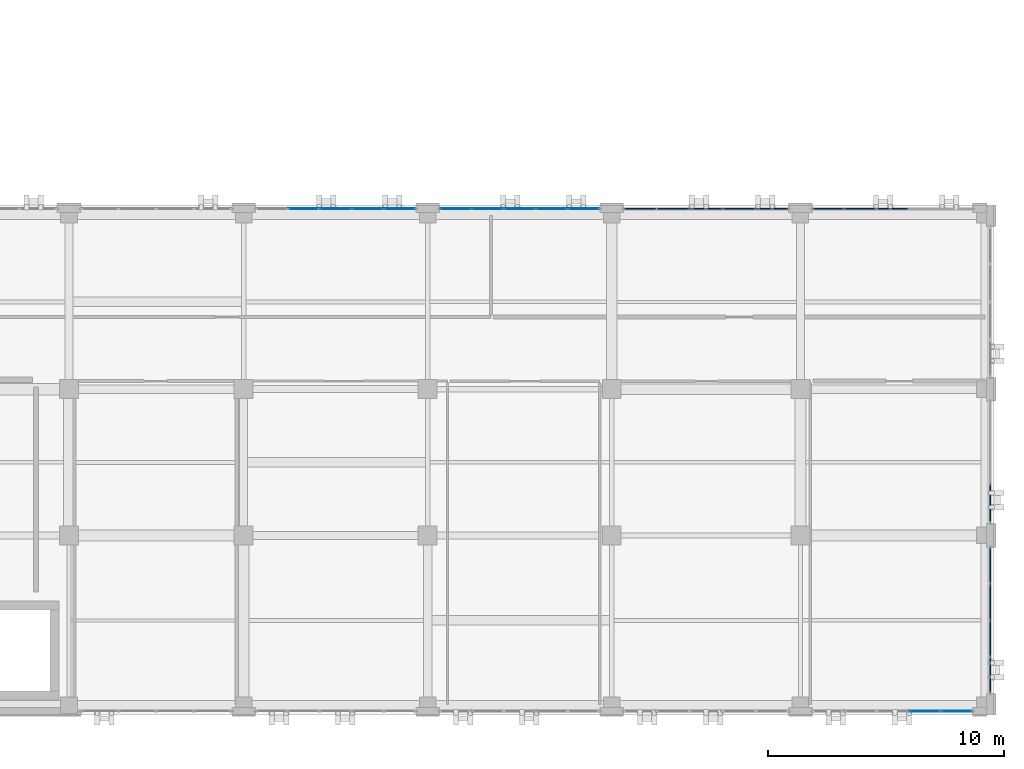
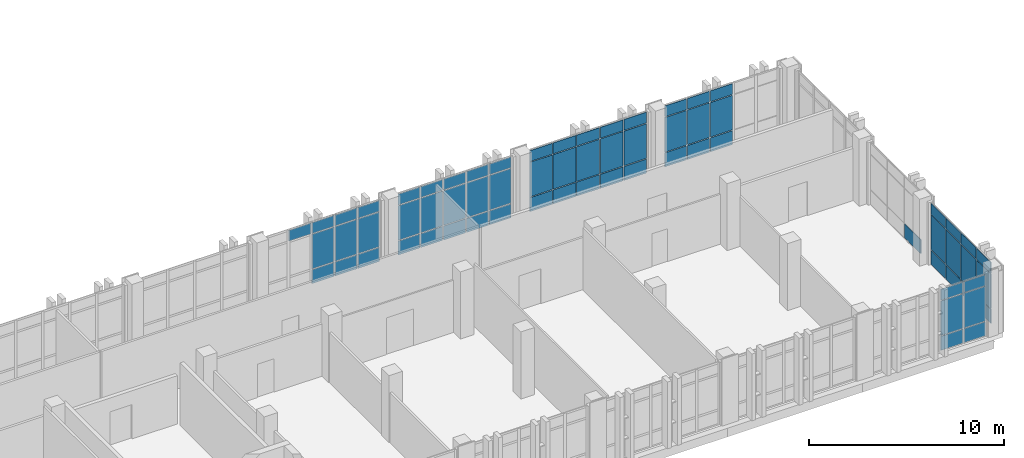
# One storey, part 151 of 193: 68 plates, 7 elements without a shape of their own.
"""IFC4 building model written with IfcOpenShell, lengths in metres."""

import ifcopenshell
import ifcopenshell.guid

model = None  # the IFC model being written
_history = None  # IfcOwnerHistory: only IFC2X3 demands one
_inside = {}  # id of a spatial element -> (the spatial element, [elements in it])
_under = {}  # id of a project, library or spatial element -> (it, [spatial elements below it])
_declared = {}  # id of a project -> (the project, [libraries it declares])
_typed = {}  # id of a type object -> (the type object, [elements of that type])
_made_of = {}  # id of a material, layer set ... -> (it, [elements and type objects made of it])


def new_model(schema):
    """Start an empty IFC model of exactly this schema.

    Asked for "IFC4X3", IfcOpenShell would pick the latest addendum, in which some entities
    have other attributes; the version numbers below select the first issue.
    IFC2X3 requires an IfcOwnerHistory on every rooted entity: one is made here for all.
    """
    global model, _history
    if schema == "IFC4X3":
        model = ifcopenshell.file(schema_version=(4, 3, 0, 0))
    else:
        model = ifcopenshell.file(schema=schema)
    _inside.clear()
    _under.clear()
    _declared.clear()
    _typed.clear()
    _made_of.clear()
    _history = None
    if model.schema == "IFC2X3":
        org = make("IfcOrganization", Name="unknown")
        user = make(
            "IfcPersonAndOrganization",
            ThePerson=make("IfcPerson", FamilyName="unknown"),
            TheOrganization=org,
        )
        app = make(
            "IfcApplication",
            ApplicationDeveloper=org,
            Version="unknown",
            ApplicationFullName="unknown",
            ApplicationIdentifier="unknown",
        )
        _history = make(
            "IfcOwnerHistory",
            OwningUser=user,
            OwningApplication=app,
            ChangeAction="ADDED",
            CreationDate=0,
        )
    return model


def make(cls, **values):
    """One entity of the class cls with the attributes given. An attribute that is None is left unset."""
    return model.create_entity(
        cls, **{name: value for name, value in values.items() if value is not None}
    )


def rooted(cls, **values):
    """An entity with a GlobalId (a new one), such as an element, a storey or a relation."""
    return make(cls, GlobalId=ifcopenshell.guid.new(), OwnerHistory=_history, **values)


def si_unit(unit_type, name, prefix=None):
    """IfcSIUnit, for example si_unit("LENGTHUNIT", "METRE", prefix="MILLI")."""
    return make("IfcSIUnit", UnitType=unit_type, Prefix=prefix, Name=name)


def assignment(units):
    """IfcUnitAssignment: the units of a project."""
    return None if units is None else make("IfcUnitAssignment", Units=units)


def point(xyz):
    """IfcCartesianPoint."""
    return None if xyz is None else make("IfcCartesianPoint", Coordinates=xyz)


def direction(xyz):
    """IfcDirection."""
    return None if xyz is None else make("IfcDirection", DirectionRatios=xyz)


def frame(location, z_axis=None, x_axis=None):
    """IfcAxis2Placement3D, a coordinate frame: its origin and axes. An axis left out is left unset."""
    return make(
        "IfcAxis2Placement3D",
        Location=point(location),
        Axis=direction(z_axis),
        RefDirection=direction(x_axis),
    )


def frame_2d(location, x_axis=None):
    """IfcAxis2Placement2D, a coordinate frame in the plane: its origin and x axis."""
    return make(
        "IfcAxis2Placement2D", Location=point(location), RefDirection=direction(x_axis)
    )


def origin():
    """The frame at (0, 0, 0) with its axes left unset."""
    return frame((0.0, 0.0, 0.0))


def origin_2d():
    """The frame at (0, 0) in the plane with its x axis left unset."""
    return frame_2d((0.0, 0.0))


def place(relative_to, where):
    """IfcLocalPlacement: puts the frame where relative to a parent placement (None: the world)."""
    return make(
        "IfcLocalPlacement", PlacementRelTo=relative_to, RelativePlacement=where
    )


def context(
    kind, dimensions, precision=None, world=None, true_north=None, identifier=None
):
    """IfcGeometricRepresentationContext, for example the 3D "Model" context."""
    return make(
        "IfcGeometricRepresentationContext",
        ContextIdentifier=identifier,
        ContextType=kind,
        CoordinateSpaceDimension=dimensions,
        Precision=precision,
        WorldCoordinateSystem=world,
        TrueNorth=true_north,
    )


def subcontext(parent, identifier, kind, view, scale=None):
    """IfcGeometricRepresentationSubContext, for example "Body" below "Model"."""
    return make(
        "IfcGeometricRepresentationSubContext",
        ContextIdentifier=identifier,
        ContextType=kind,
        ParentContext=parent,
        TargetScale=scale,
        TargetView=view,
    )


def project(units=None, contexts=None):
    """IfcProject with its units and contexts."""
    return rooted(
        "IfcProject",
        Name="project",
        RepresentationContexts=contexts,
        UnitsInContext=assignment(units),
    )


def spatial(cls, under=None, at=None, **own):
    """A site, building, storey or space (cls), placed at a placement, below another one or the project."""
    s = rooted(cls, ObjectPlacement=at, **own)
    if under is not None:
        _under.setdefault(under.id(), (under, []))[1].append(s)
    return s


def profile(cls, at=None, kind="AREA", **sizes):
    """A parametric profile (cls). Its sizes go by their IFC names, for example OverallWidth=200.0."""
    return make(cls, ProfileType=kind, Position=at, **sizes)


def rectangle(**sizes):
    """IfcRectangleProfileDef."""
    return profile("IfcRectangleProfileDef", **sizes)


def extrude(swept, where, along, depth):
    """IfcExtrudedAreaSolid: the profile swept, set in the frame where, extruded along a direction by depth."""
    return make(
        "IfcExtrudedAreaSolid",
        SweptArea=swept,
        Position=where,
        ExtrudedDirection=direction(along),
        Depth=depth,
    )


def shape(context_of_items, identifier, shape_type, items):
    """IfcShapeRepresentation: the items that make up one representation, for example the "Body"."""
    return make(
        "IfcShapeRepresentation",
        ContextOfItems=context_of_items,
        RepresentationIdentifier=identifier,
        RepresentationType=shape_type,
        Items=items,
    )


def material(Name=None, Category=None):
    """IfcMaterial."""
    return make("IfcMaterial", Name=Name, Category=Category)


def layer(
    of_material, thickness, ventilated=None, Name=None, Category=None, Priority=None
):
    """IfcMaterialLayer: one layer of a wall or slab, of a material (None: an air gap)."""
    return make(
        "IfcMaterialLayer",
        Material=of_material,
        LayerThickness=thickness,
        IsVentilated=ventilated,
        Name=Name,
        Category=Category,
        Priority=Priority,
    )


def layer_set(layers, Name=None):
    """IfcMaterialLayerSet."""
    return make("IfcMaterialLayerSet", MaterialLayers=layers, LayerSetName=Name)


def made_of(thing, what):
    """Note that an element or type object is made of a material, layer set ...; save() writes the relation."""
    if what is not None:
        _made_of.setdefault(what.id(), (what, []))[1].append(thing)
    return thing


def type_object(cls, material=None, **own):
    """A type object (cls), such as IfcWallType, which elements share."""
    return made_of(rooted(cls, **own), material)


def element(
    cls,
    number,
    at=None,
    inside=None,
    cuts=None,
    type_object=None,
    material=None,
    context=None,
    identifier="Body",
    shape_type=None,
    held_by="IfcProductDefinitionShape",
    body=None,
    shapes=None,
    **own,
):
    """One element of the class cls, such as IfcWall. Its Tag is "e" and its number.

    at: its placement. inside: the storey or other place that contains it. cuts: it is an
    opening in that element (IfcRelVoidsElement). A single representation is given by context,
    identifier, shape_type and body (its items); several are given by shapes. held_by: the class
    of the entity that holds the representations. save() writes the other relations.
    """
    e = rooted(cls, Tag="e%d" % number, ObjectPlacement=at, **own)
    if body is not None:
        shapes = [shape(context, identifier, shape_type, body)]
    if shapes is not None:
        e.Representation = make(held_by, Representations=shapes)
    if inside is not None:
        _inside.setdefault(inside.id(), (inside, []))[1].append(e)
    if cuts is not None:
        rooted(
            "IfcRelVoidsElement", RelatingBuildingElement=cuts, RelatedOpeningElement=e
        )
    if type_object is not None:
        _typed.setdefault(type_object.id(), (type_object, []))[1].append(e)
    return made_of(e, material)


def aggregate(whole, parts):
    """IfcRelAggregates: a whole, such as a stair, and the parts it consists of."""
    return rooted("IfcRelAggregates", RelatingObject=whole, RelatedObjects=parts)


def save(model, path):
    """Write the relations noted so far, then the file.

    IfcRelAggregates (storeys below a building ...), IfcRelContainedInSpatialStructure (elements
    in a storey), IfcRelDefinesByType, IfcRelAssociatesMaterial and IfcRelDeclares: one each for
    every whole, place, type object, material and project.
    """
    for whole, parts in _under.values():
        aggregate(whole, parts)
    for where, things in _inside.values():
        rooted(
            "IfcRelContainedInSpatialStructure",
            RelatedElements=things,
            RelatingStructure=where,
        )
    for kind, things in _typed.values():
        rooted("IfcRelDefinesByType", RelatedObjects=things, RelatingType=kind)
    for what, things in _made_of.values():
        rooted("IfcRelAssociatesMaterial", RelatedObjects=things, RelatingMaterial=what)
    for by, libraries in _declared.values():
        rooted("IfcRelDeclares", RelatingContext=by, RelatedDefinitions=libraries)
    model.write(path)


model = new_model("IFC4")

# Units and contexts
model_context = context("Model", 3, precision=1e-05, world=origin(), true_north=direction((0.0, 1.0)))
body_context = subcontext(model_context, "Body", "Model", "MODEL_VIEW")
ifc_project = project(units=[si_unit("LENGTHUNIT", "METRE"), si_unit("AREAUNIT", "SQUARE_METRE"), si_unit("VOLUMEUNIT", "CUBIC_METRE"), si_unit("PLANEANGLEUNIT", "RADIAN"), si_unit("MASSUNIT", "GRAM", prefix="KILO")], contexts=[model_context])

# Site, building, storey
site_placement = place(None, origin())
site = spatial("IfcSite", under=ifc_project, at=site_placement, CompositionType="ELEMENT")
building_placement = place(site_placement, origin())
building = spatial("IfcBuilding", under=site, at=building_placement, Name="Qalavern Law Courts", CompositionType="ELEMENT")
storey_placement = place(building_placement, frame((0.0, 0.0, 10.199951171875)))
storey = spatial("IfcBuildingStorey", under=building, at=storey_placement, Name="L02", CompositionType="ELEMENT", Elevation=10.199951171875)

# Curtain wall, plates
ifc_material_1 = material(Name="Anodised aluminium and insulated glazing", Category="aluminium")
ifc_layer_1 = layer(ifc_material_1, 0.172119140625)
ifc_layer_set_1 = layer_set([ifc_layer_1], Name="Anodised aluminium and insulated glazing")
curtain_wall_type = type_object("IfcCurtainWallType", Name="ENV-CW-COURT", PredefinedType="USERDEFINED", material=ifc_layer_set_1)
curtain_wall_1_placement = place(storey_placement, origin())
curtain_wall_1 = element("IfcCurtainWall", 1, at=curtain_wall_1_placement, inside=storey, type_object=curtain_wall_type, Name="V6 unitised curtain wall L02 north 3", ObjectType="UNITISED CURTAIN WALL", PredefinedType="USERDEFINED")
ifc_material_2 = material(Name="Insulated low-E acoustic glazing", Category="glass")
ifc_layer_2 = layer(ifc_material_2, 0.02392578125)
ifc_layer_set_2 = layer_set([ifc_layer_2], Name="Insulated low-E acoustic glazing")
plate_type_1 = type_object("IfcPlateType", Name="ENV-CWP-24", PredefinedType="CURTAIN_PANEL", material=ifc_layer_set_2)
plate_1_placement = place(storey_placement, frame((148.60791015625, 22.445068359375, 0.048095703125), z_axis=(0.0, 0.0, 1.0), x_axis=(-1.0, 0.0, 0.0)))
plate_1 = element("IfcPlate", 2, at=plate_1_placement, type_object=plate_type_1, Name="CW-03 panel 1.1", PredefinedType="CURTAIN_PANEL", context=body_context, shape_type="SweptSolid", body=[
    extrude(rectangle(XDim=1.2880859375, YDim=0.02392578125, at=origin_2d()), origin(), (0.0, 0.0, 1.0), 0.8779296875),
])
plate_2_placement = place(storey_placement, frame((148.60791015625, 22.445068359375, 0.97412109375), z_axis=(0.0, 0.0, 1.0), x_axis=(-1.0, 0.0, 0.0)))
plate_2 = element("IfcPlate", 3, at=plate_2_placement, type_object=plate_type_1, Name="CW-03 panel 1.2", PredefinedType="CURTAIN_PANEL", context=body_context, shape_type="SweptSolid", body=[
    extrude(rectangle(XDim=1.2880859375, YDim=0.02392578125, at=origin_2d()), origin(), (0.0, 0.0, 1.0), 2.1669921875),
])
plate_3_placement = place(storey_placement, frame((148.60791015625, 22.445068359375, 3.18896484375), z_axis=(0.0, 0.0, 1.0), x_axis=(-1.0, 0.0, 0.0)))
plate_3 = element("IfcPlate", 4, at=plate_3_placement, type_object=plate_type_1, Name="CW-03 panel 1.3", PredefinedType="CURTAIN_PANEL", context=body_context, shape_type="SweptSolid", body=[
    extrude(rectangle(XDim=1.2880859375, YDim=0.02392578125, at=origin_2d()), origin(), (0.0, 0.0, 1.0), 0.677978515625),
])
plate_4_placement = place(storey_placement, frame((147.260009765625, 22.445068359375, 0.048095703125), z_axis=(0.0, 0.0, 1.0), x_axis=(-1.0, 0.0, 0.0)))
plate_4 = element("IfcPlate", 5, at=plate_4_placement, type_object=plate_type_1, Name="CW-03 panel 2.1", PredefinedType="CURTAIN_PANEL", context=body_context, shape_type="SweptSolid", body=[
    extrude(rectangle(XDim=1.31201171875, YDim=0.02392578125, at=origin_2d()), origin(), (0.0, 0.0, 1.0), 0.8779296875),
])
plate_5_placement = place(storey_placement, frame((147.260009765625, 22.445068359375, 0.97412109375), z_axis=(0.0, 0.0, 1.0), x_axis=(-1.0, 0.0, 0.0)))
plate_5 = element("IfcPlate", 6, at=plate_5_placement, type_object=plate_type_1, Name="CW-03 panel 2.2", PredefinedType="CURTAIN_PANEL", context=body_context, shape_type="SweptSolid", body=[
    extrude(rectangle(XDim=1.31201171875, YDim=0.02392578125, at=origin_2d()), origin(), (0.0, 0.0, 1.0), 2.1669921875),
])
plate_6_placement = place(storey_placement, frame((147.260009765625, 22.445068359375, 3.18896484375), z_axis=(0.0, 0.0, 1.0), x_axis=(-1.0, 0.0, 0.0)))
plate_6 = element("IfcPlate", 7, at=plate_6_placement, type_object=plate_type_1, Name="CW-03 panel 2.3", PredefinedType="CURTAIN_PANEL", context=body_context, shape_type="SweptSolid", body=[
    extrude(rectangle(XDim=1.31201171875, YDim=0.02392578125, at=origin_2d()), origin(), (0.0, 0.0, 1.0), 0.677978515625),
])
plate_7_placement = place(storey_placement, frame((145.89990234375, 22.445068359375, 0.048095703125), z_axis=(0.0, 0.0, 1.0), x_axis=(-1.0, 0.0, 0.0)))
plate_7 = element("IfcPlate", 8, at=plate_7_placement, type_object=plate_type_1, Name="CW-03 panel 3.1", PredefinedType="CURTAIN_PANEL", context=body_context, shape_type="SweptSolid", body=[
    extrude(rectangle(XDim=1.31201171875, YDim=0.02392578125, at=origin_2d()), origin(), (0.0, 0.0, 1.0), 0.8779296875),
])
plate_8_placement = place(storey_placement, frame((145.89990234375, 22.445068359375, 0.97412109375), z_axis=(0.0, 0.0, 1.0), x_axis=(-1.0, 0.0, 0.0)))
plate_8 = element("IfcPlate", 9, at=plate_8_placement, type_object=plate_type_1, Name="CW-03 panel 3.2", PredefinedType="CURTAIN_PANEL", context=body_context, shape_type="SweptSolid", body=[
    extrude(rectangle(XDim=1.31201171875, YDim=0.02392578125, at=origin_2d()), origin(), (0.0, 0.0, 1.0), 2.1669921875),
])
plate_9_placement = place(storey_placement, frame((145.89990234375, 22.445068359375, 3.18896484375), z_axis=(0.0, 0.0, 1.0), x_axis=(-1.0, 0.0, 0.0)))
plate_9 = element("IfcPlate", 10, at=plate_9_placement, type_object=plate_type_1, Name="CW-03 panel 3.3", PredefinedType="CURTAIN_PANEL", context=body_context, shape_type="SweptSolid", body=[
    extrude(rectangle(XDim=1.31201171875, YDim=0.02392578125, at=origin_2d()), origin(), (0.0, 0.0, 1.0), 0.677978515625),
])
plate_10_placement = place(storey_placement, frame((144.5400390625, 22.445068359375, 0.048095703125), z_axis=(0.0, 0.0, 1.0), x_axis=(-1.0, 0.0, 0.0)))
plate_10 = element("IfcPlate", 11, at=plate_10_placement, type_object=plate_type_1, Name="CW-03 panel 4.1", PredefinedType="CURTAIN_PANEL", context=body_context, shape_type="SweptSolid", body=[
    extrude(rectangle(XDim=1.31201171875, YDim=0.02392578125, at=origin_2d()), origin(), (0.0, 0.0, 1.0), 0.8779296875),
])
plate_11_placement = place(storey_placement, frame((144.5400390625, 22.445068359375, 0.97412109375), z_axis=(0.0, 0.0, 1.0), x_axis=(-1.0, 0.0, 0.0)))
plate_11 = element("IfcPlate", 12, at=plate_11_placement, type_object=plate_type_1, Name="CW-03 panel 4.2", PredefinedType="CURTAIN_PANEL", context=body_context, shape_type="SweptSolid", body=[
    extrude(rectangle(XDim=1.31201171875, YDim=0.02392578125, at=origin_2d()), origin(), (0.0, 0.0, 1.0), 2.1669921875),
])
plate_12_placement = place(storey_placement, frame((144.5400390625, 22.445068359375, 3.18896484375), z_axis=(0.0, 0.0, 1.0), x_axis=(-1.0, 0.0, 0.0)))
plate_12 = element("IfcPlate", 13, at=plate_12_placement, type_object=plate_type_1, Name="CW-03 panel 4.3", PredefinedType="CURTAIN_PANEL", context=body_context, shape_type="SweptSolid", body=[
    extrude(rectangle(XDim=1.31201171875, YDim=0.02392578125, at=origin_2d()), origin(), (0.0, 0.0, 1.0), 0.677978515625),
])
plate_13_placement = place(storey_placement, frame((143.19189453125, 22.445068359375, 0.048095703125), z_axis=(0.0, 0.0, 1.0), x_axis=(-1.0, 0.0, 0.0)))
plate_13 = element("IfcPlate", 14, at=plate_13_placement, type_object=plate_type_1, Name="CW-03 panel 5.1", PredefinedType="CURTAIN_PANEL", context=body_context, shape_type="SweptSolid", body=[
    extrude(rectangle(XDim=1.2880859375, YDim=0.02392578125, at=origin_2d()), origin(), (0.0, 0.0, 1.0), 0.8779296875),
])
plate_14_placement = place(storey_placement, frame((143.19189453125, 22.445068359375, 0.97412109375), z_axis=(0.0, 0.0, 1.0), x_axis=(-1.0, 0.0, 0.0)))
plate_14 = element("IfcPlate", 15, at=plate_14_placement, type_object=plate_type_1, Name="CW-03 panel 5.2", PredefinedType="CURTAIN_PANEL", context=body_context, shape_type="SweptSolid", body=[
    extrude(rectangle(XDim=1.2880859375, YDim=0.02392578125, at=origin_2d()), origin(), (0.0, 0.0, 1.0), 2.1669921875),
])
plate_15_placement = place(storey_placement, frame((143.19189453125, 22.445068359375, 3.18896484375), z_axis=(0.0, 0.0, 1.0), x_axis=(-1.0, 0.0, 0.0)))
plate_15 = element("IfcPlate", 16, at=plate_15_placement, type_object=plate_type_1, Name="CW-03 panel 5.3", PredefinedType="CURTAIN_PANEL", context=body_context, shape_type="SweptSolid", body=[
    extrude(rectangle(XDim=1.2880859375, YDim=0.02392578125, at=origin_2d()), origin(), (0.0, 0.0, 1.0), 0.677978515625),
])
aggregate(curtain_wall_1, [plate_1, plate_2, plate_3, plate_4, plate_5, plate_6, plate_7, plate_8, plate_9, plate_10, plate_11, plate_12, plate_13, plate_14, plate_15])

curtain_wall_2_placement = place(storey_placement, origin())
curtain_wall_2 = element("IfcCurtainWall", 17, at=curtain_wall_2_placement, inside=storey, type_object=curtain_wall_type, Name="V6 unitised curtain wall L02 north 4", ObjectType="UNITISED CURTAIN WALL", PredefinedType="USERDEFINED")
ifc_layer_3 = layer(ifc_material_2, 0.028076171875)
ifc_layer_set_3 = layer_set([ifc_layer_3], Name="Insulated low-E acoustic glazing")
plate_type_2 = type_object("IfcPlateType", Name="ENV-CWP-28", PredefinedType="CURTAIN_PANEL", material=ifc_layer_set_3)
plate_16_placement = place(storey_placement, frame((140.80810546875, 22.445068359375, 0.048095703125), z_axis=(0.0, 0.0, 1.0), x_axis=(-1.0, 0.0, 0.0)))
plate_16 = element("IfcPlate", 18, at=plate_16_placement, type_object=plate_type_2, Name="CW-03 panel 1.1", PredefinedType="CURTAIN_PANEL", context=body_context, shape_type="SweptSolid", body=[
    extrude(rectangle(XDim=1.2880859375, YDim=0.028076171875, at=origin_2d()), origin(), (0.0, 0.0, 1.0), 0.8779296875),
])
plate_17_placement = place(storey_placement, frame((140.80810546875, 22.445068359375, 0.97412109375), z_axis=(0.0, 0.0, 1.0), x_axis=(-1.0, 0.0, 0.0)))
plate_17 = element("IfcPlate", 19, at=plate_17_placement, type_object=plate_type_2, Name="CW-03 panel 1.2", PredefinedType="CURTAIN_PANEL", context=body_context, shape_type="SweptSolid", body=[
    extrude(rectangle(XDim=1.2880859375, YDim=0.028076171875, at=origin_2d()), origin(), (0.0, 0.0, 1.0), 2.1669921875),
])
plate_18_placement = place(storey_placement, frame((140.80810546875, 22.445068359375, 3.18896484375), z_axis=(0.0, 0.0, 1.0), x_axis=(-1.0, 0.0, 0.0)))
plate_18 = element("IfcPlate", 20, at=plate_18_placement, type_object=plate_type_2, Name="CW-03 panel 1.3", PredefinedType="CURTAIN_PANEL", context=body_context, shape_type="SweptSolid", body=[
    extrude(rectangle(XDim=1.2880859375, YDim=0.028076171875, at=origin_2d()), origin(), (0.0, 0.0, 1.0), 0.677978515625),
])
plate_19_placement = place(storey_placement, frame((139.4599609375, 22.445068359375, 0.048095703125), z_axis=(0.0, 0.0, 1.0), x_axis=(-1.0, 0.0, 0.0)))
plate_19 = element("IfcPlate", 21, at=plate_19_placement, type_object=plate_type_2, Name="CW-03 panel 2.1", PredefinedType="CURTAIN_PANEL", context=body_context, shape_type="SweptSolid", body=[
    extrude(rectangle(XDim=1.31201171875, YDim=0.028076171875, at=origin_2d()), origin(), (0.0, 0.0, 1.0), 0.8779296875),
])
plate_20_placement = place(storey_placement, frame((139.4599609375, 22.445068359375, 0.97412109375), z_axis=(0.0, 0.0, 1.0), x_axis=(-1.0, 0.0, 0.0)))
plate_20 = element("IfcPlate", 22, at=plate_20_placement, type_object=plate_type_2, Name="CW-03 panel 2.2", PredefinedType="CURTAIN_PANEL", context=body_context, shape_type="SweptSolid", body=[
    extrude(rectangle(XDim=1.31201171875, YDim=0.028076171875, at=origin_2d()), origin(), (0.0, 0.0, 1.0), 2.1669921875),
])
plate_21_placement = place(storey_placement, frame((139.4599609375, 22.445068359375, 3.18896484375), z_axis=(0.0, 0.0, 1.0), x_axis=(-1.0, 0.0, 0.0)))
plate_21 = element("IfcPlate", 23, at=plate_21_placement, type_object=plate_type_2, Name="CW-03 panel 2.3", PredefinedType="CURTAIN_PANEL", context=body_context, shape_type="SweptSolid", body=[
    extrude(rectangle(XDim=1.31201171875, YDim=0.028076171875, at=origin_2d()), origin(), (0.0, 0.0, 1.0), 0.677978515625),
])
plate_22_placement = place(storey_placement, frame((138.10009765625, 22.445068359375, 0.048095703125), z_axis=(0.0, 0.0, 1.0), x_axis=(-1.0, 0.0, 0.0)))
plate_22 = element("IfcPlate", 24, at=plate_22_placement, type_object=plate_type_2, Name="CW-03 panel 3.1", PredefinedType="CURTAIN_PANEL", context=body_context, shape_type="SweptSolid", body=[
    extrude(rectangle(XDim=1.31201171875, YDim=0.028076171875, at=origin_2d()), origin(), (0.0, 0.0, 1.0), 0.8779296875),
])
plate_23_placement = place(storey_placement, frame((138.10009765625, 22.445068359375, 0.97412109375), z_axis=(0.0, 0.0, 1.0), x_axis=(-1.0, 0.0, 0.0)))
plate_23 = element("IfcPlate", 25, at=plate_23_placement, type_object=plate_type_2, Name="CW-03 panel 3.2", PredefinedType="CURTAIN_PANEL", context=body_context, shape_type="SweptSolid", body=[
    extrude(rectangle(XDim=1.31201171875, YDim=0.028076171875, at=origin_2d()), origin(), (0.0, 0.0, 1.0), 2.1669921875),
])
plate_24_placement = place(storey_placement, frame((138.10009765625, 22.445068359375, 3.18896484375), z_axis=(0.0, 0.0, 1.0), x_axis=(-1.0, 0.0, 0.0)))
plate_24 = element("IfcPlate", 26, at=plate_24_placement, type_object=plate_type_2, Name="CW-03 panel 3.3", PredefinedType="CURTAIN_PANEL", context=body_context, shape_type="SweptSolid", body=[
    extrude(rectangle(XDim=1.31201171875, YDim=0.028076171875, at=origin_2d()), origin(), (0.0, 0.0, 1.0), 0.677978515625),
])
plate_25_placement = place(storey_placement, frame((136.739990234375, 22.445068359375, 3.18896484375), z_axis=(0.0, 0.0, 1.0), x_axis=(-1.0, 0.0, 0.0)))
plate_25 = element("IfcPlate", 27, at=plate_25_placement, type_object=plate_type_2, Name="CW-03 panel 4.3", PredefinedType="CURTAIN_PANEL", context=body_context, shape_type="SweptSolid", body=[
    extrude(rectangle(XDim=1.31201171875, YDim=0.028076171875, at=origin_2d()), origin(), (0.0, 0.0, 1.0), 0.677978515625),
])
aggregate(curtain_wall_2, [plate_16, plate_17, plate_18, plate_19, plate_20, plate_21, plate_22, plate_23, plate_24, plate_25])

curtain_wall_3_placement = place(storey_placement, origin())
curtain_wall_3 = element("IfcCurtainWall", 28, at=curtain_wall_3_placement, inside=storey, type_object=curtain_wall_type, Name="V6 unitised curtain wall L02 south 7", ObjectType="UNITISED CURTAIN WALL", PredefinedType="USERDEFINED")
ifc_layer_4 = layer(ifc_material_2, 0.0400390625)
ifc_layer_set_4 = layer_set([ifc_layer_4], Name="Insulated low-E acoustic glazing")
plate_type_3 = type_object("IfcPlateType", Name="ENV-CWP-40", PredefinedType="CURTAIN_PANEL", material=ifc_layer_set_4)
plate_26_placement = place(storey_placement, frame((163.06005859375, 1.155029296875, 0.048095703125), z_axis=(0.0, 0.0, 1.0), x_axis=(1.0, 0.0, 0.0)))
plate_26 = element("IfcPlate", 29, at=plate_26_placement, type_object=plate_type_3, Name="CW-03 panel 4.1", PredefinedType="CURTAIN_PANEL", context=body_context, shape_type="SweptSolid", body=[
    extrude(rectangle(XDim=1.31201171875, YDim=0.0400390625, at=origin_2d()), origin(), (0.0, 0.0, 1.0), 0.8779296875),
])
plate_27_placement = place(storey_placement, frame((163.06005859375, 1.155029296875, 0.97412109375), z_axis=(0.0, 0.0, 1.0), x_axis=(1.0, 0.0, 0.0)))
plate_27 = element("IfcPlate", 30, at=plate_27_placement, type_object=plate_type_3, Name="CW-03 panel 4.2", PredefinedType="CURTAIN_PANEL", context=body_context, shape_type="SweptSolid", body=[
    extrude(rectangle(XDim=1.31201171875, YDim=0.0400390625, at=origin_2d()), origin(), (0.0, 0.0, 1.0), 2.1669921875),
])
plate_28_placement = place(storey_placement, frame((163.06005859375, 1.155029296875, 3.18896484375), z_axis=(0.0, 0.0, 1.0), x_axis=(1.0, 0.0, 0.0)))
plate_28 = element("IfcPlate", 31, at=plate_28_placement, type_object=plate_type_3, Name="CW-03 panel 4.3", PredefinedType="CURTAIN_PANEL", context=body_context, shape_type="SweptSolid", body=[
    extrude(rectangle(XDim=1.31201171875, YDim=0.0400390625, at=origin_2d()), origin(), (0.0, 0.0, 1.0), 0.677978515625),
])
plate_29_placement = place(storey_placement, frame((164.407958984375, 1.155029296875, 0.048095703125), z_axis=(0.0, 0.0, 1.0), x_axis=(1.0, 0.0, 0.0)))
plate_29 = element("IfcPlate", 32, at=plate_29_placement, type_object=plate_type_3, Name="CW-03 panel 5.1", PredefinedType="CURTAIN_PANEL", context=body_context, shape_type="SweptSolid", body=[
    extrude(rectangle(XDim=1.2880859375, YDim=0.0400390625, at=origin_2d()), origin(), (0.0, 0.0, 1.0), 0.8779296875),
])
plate_30_placement = place(storey_placement, frame((164.407958984375, 1.155029296875, 0.97412109375), z_axis=(0.0, 0.0, 1.0), x_axis=(1.0, 0.0, 0.0)))
plate_30 = element("IfcPlate", 33, at=plate_30_placement, type_object=plate_type_3, Name="CW-03 panel 5.2", PredefinedType="CURTAIN_PANEL", context=body_context, shape_type="SweptSolid", body=[
    extrude(rectangle(XDim=1.2880859375, YDim=0.0400390625, at=origin_2d()), origin(), (0.0, 0.0, 1.0), 2.1669921875),
])
plate_31_placement = place(storey_placement, frame((164.407958984375, 1.155029296875, 3.18896484375), z_axis=(0.0, 0.0, 1.0), x_axis=(1.0, 0.0, 0.0)))
plate_31 = element("IfcPlate", 34, at=plate_31_placement, type_object=plate_type_3, Name="CW-03 panel 5.3", PredefinedType="CURTAIN_PANEL", context=body_context, shape_type="SweptSolid", body=[
    extrude(rectangle(XDim=1.2880859375, YDim=0.0400390625, at=origin_2d()), origin(), (0.0, 0.0, 1.0), 0.677978515625),
])
aggregate(curtain_wall_3, [plate_26, plate_27, plate_28, plate_29, plate_30, plate_31])

curtain_wall_4_placement = place(storey_placement, origin())
curtain_wall_4 = element("IfcCurtainWall", 35, at=curtain_wall_4_placement, inside=storey, type_object=curtain_wall_type, Name="V6 unitised curtain wall L02 east 1", ObjectType="UNITISED CURTAIN WALL", PredefinedType="USERDEFINED")
ifc_layer_5 = layer(ifc_material_2, 0.048095703125)
ifc_layer_set_5 = layer_set([ifc_layer_5], Name="Insulated low-E acoustic glazing")
plate_type_4 = type_object("IfcPlateType", Name="ENV-CWP-48", PredefinedType="CURTAIN_PANEL", material=ifc_layer_set_5)
plate_32_placement = place(storey_placement, frame((165.844970703125, 2.68701171875, 0.048095703125), z_axis=(0.0, 0.0, 1.0), x_axis=(0.0, 1.0, 0.0)))
plate_32 = element("IfcPlate", 36, at=plate_32_placement, type_object=plate_type_4, Name="CW-03 panel 1.1", PredefinedType="CURTAIN_PANEL", context=body_context, shape_type="SweptSolid", body=[
    extrude(rectangle(XDim=1.47802734375, YDim=0.048095703125, at=origin_2d()), origin(), (0.0, 0.0, 1.0), 0.8779296875),
])
plate_33_placement = place(storey_placement, frame((165.844970703125, 2.68701171875, 0.97412109375), z_axis=(0.0, 0.0, 1.0), x_axis=(0.0, 1.0, 0.0)))
plate_33 = element("IfcPlate", 37, at=plate_33_placement, type_object=plate_type_4, Name="CW-03 panel 1.2", PredefinedType="CURTAIN_PANEL", context=body_context, shape_type="SweptSolid", body=[
    extrude(rectangle(XDim=1.47802734375, YDim=0.048095703125, at=origin_2d()), origin(), (0.0, 0.0, 1.0), 2.1669921875),
])
plate_34_placement = place(storey_placement, frame((165.844970703125, 2.68701171875, 3.18896484375), z_axis=(0.0, 0.0, 1.0), x_axis=(0.0, 1.0, 0.0)))
plate_34 = element("IfcPlate", 38, at=plate_34_placement, type_object=plate_type_4, Name="CW-03 panel 1.3", PredefinedType="CURTAIN_PANEL", context=body_context, shape_type="SweptSolid", body=[
    extrude(rectangle(XDim=1.47802734375, YDim=0.048095703125, at=origin_2d()), origin(), (0.0, 0.0, 1.0), 0.677978515625),
])
plate_35_placement = place(storey_placement, frame((165.844970703125, 4.22509765625, 0.048095703125), z_axis=(0.0, 0.0, 1.0), x_axis=(0.0, 1.0, 0.0)))
plate_35 = element("IfcPlate", 39, at=plate_35_placement, type_object=plate_type_4, Name="CW-03 panel 2.1", PredefinedType="CURTAIN_PANEL", context=body_context, shape_type="SweptSolid", body=[
    extrude(rectangle(XDim=1.501953125, YDim=0.048095703125, at=origin_2d()), origin(), (0.0, 0.0, 1.0), 0.8779296875),
])
plate_36_placement = place(storey_placement, frame((165.844970703125, 4.22509765625, 0.97412109375), z_axis=(0.0, 0.0, 1.0), x_axis=(0.0, 1.0, 0.0)))
plate_36 = element("IfcPlate", 40, at=plate_36_placement, type_object=plate_type_4, Name="CW-03 panel 2.2", PredefinedType="CURTAIN_PANEL", context=body_context, shape_type="SweptSolid", body=[
    extrude(rectangle(XDim=1.501953125, YDim=0.048095703125, at=origin_2d()), origin(), (0.0, 0.0, 1.0), 2.1669921875),
])
plate_37_placement = place(storey_placement, frame((165.844970703125, 4.22509765625, 3.18896484375), z_axis=(0.0, 0.0, 1.0), x_axis=(0.0, 1.0, 0.0)))
plate_37 = element("IfcPlate", 41, at=plate_37_placement, type_object=plate_type_4, Name="CW-03 panel 2.3", PredefinedType="CURTAIN_PANEL", context=body_context, shape_type="SweptSolid", body=[
    extrude(rectangle(XDim=1.501953125, YDim=0.048095703125, at=origin_2d()), origin(), (0.0, 0.0, 1.0), 0.677978515625),
])
plate_38_placement = place(storey_placement, frame((165.844970703125, 5.77490234375, 0.048095703125), z_axis=(0.0, 0.0, 1.0), x_axis=(0.0, 1.0, 0.0)))
plate_38 = element("IfcPlate", 42, at=plate_38_placement, type_object=plate_type_4, Name="CW-03 panel 3.1", PredefinedType="CURTAIN_PANEL", context=body_context, shape_type="SweptSolid", body=[
    extrude(rectangle(XDim=1.501953125, YDim=0.048095703125, at=origin_2d()), origin(), (0.0, 0.0, 1.0), 0.8779296875),
])
plate_39_placement = place(storey_placement, frame((165.844970703125, 5.77490234375, 0.97412109375), z_axis=(0.0, 0.0, 1.0), x_axis=(0.0, 1.0, 0.0)))
plate_39 = element("IfcPlate", 43, at=plate_39_placement, type_object=plate_type_4, Name="CW-03 panel 3.2", PredefinedType="CURTAIN_PANEL", context=body_context, shape_type="SweptSolid", body=[
    extrude(rectangle(XDim=1.501953125, YDim=0.048095703125, at=origin_2d()), origin(), (0.0, 0.0, 1.0), 2.1669921875),
])
plate_40_placement = place(storey_placement, frame((165.844970703125, 5.77490234375, 3.18896484375), z_axis=(0.0, 0.0, 1.0), x_axis=(0.0, 1.0, 0.0)))
plate_40 = element("IfcPlate", 44, at=plate_40_placement, type_object=plate_type_4, Name="CW-03 panel 3.3", PredefinedType="CURTAIN_PANEL", context=body_context, shape_type="SweptSolid", body=[
    extrude(rectangle(XDim=1.501953125, YDim=0.048095703125, at=origin_2d()), origin(), (0.0, 0.0, 1.0), 0.677978515625),
])
plate_41_placement = place(storey_placement, frame((165.844970703125, 7.31298828125, 0.048095703125), z_axis=(0.0, 0.0, 1.0), x_axis=(0.0, 1.0, 0.0)))
plate_41 = element("IfcPlate", 45, at=plate_41_placement, type_object=plate_type_4, Name="CW-03 panel 4.1", PredefinedType="CURTAIN_PANEL", context=body_context, shape_type="SweptSolid", body=[
    extrude(rectangle(XDim=1.47802734375, YDim=0.048095703125, at=origin_2d()), origin(), (0.0, 0.0, 1.0), 0.8779296875),
])
plate_42_placement = place(storey_placement, frame((165.844970703125, 7.31298828125, 0.97412109375), z_axis=(0.0, 0.0, 1.0), x_axis=(0.0, 1.0, 0.0)))
plate_42 = element("IfcPlate", 46, at=plate_42_placement, type_object=plate_type_4, Name="CW-03 panel 4.2", PredefinedType="CURTAIN_PANEL", context=body_context, shape_type="SweptSolid", body=[
    extrude(rectangle(XDim=1.47802734375, YDim=0.048095703125, at=origin_2d()), origin(), (0.0, 0.0, 1.0), 2.1669921875),
])
plate_43_placement = place(storey_placement, frame((165.844970703125, 7.31298828125, 3.18896484375), z_axis=(0.0, 0.0, 1.0), x_axis=(0.0, 1.0, 0.0)))
plate_43 = element("IfcPlate", 47, at=plate_43_placement, type_object=plate_type_4, Name="CW-03 panel 4.3", PredefinedType="CURTAIN_PANEL", context=body_context, shape_type="SweptSolid", body=[
    extrude(rectangle(XDim=1.47802734375, YDim=0.048095703125, at=origin_2d()), origin(), (0.0, 0.0, 1.0), 0.677978515625),
])
aggregate(curtain_wall_4, [plate_32, plate_33, plate_34, plate_35, plate_36, plate_37, plate_38, plate_39, plate_40, plate_41, plate_42, plate_43])

curtain_wall_5_placement = place(storey_placement, origin())
curtain_wall_5 = element("IfcCurtainWall", 48, at=curtain_wall_5_placement, inside=storey, type_object=curtain_wall_type, Name="V6 unitised curtain wall L02 north 1", ObjectType="UNITISED CURTAIN WALL", PredefinedType="USERDEFINED")
plate_44_placement = place(storey_placement, frame((161.699951171875, 22.445068359375, 0.048095703125), z_axis=(0.0, 0.0, 1.0), x_axis=(-1.0, 0.0, 0.0)))
plate_44 = element("IfcPlate", 49, at=plate_44_placement, type_object=plate_type_4, Name="CW-03 panel 3.1", PredefinedType="CURTAIN_PANEL", context=body_context, shape_type="SweptSolid", body=[
    extrude(rectangle(XDim=1.31201171875, YDim=0.048095703125, at=origin_2d()), origin(), (0.0, 0.0, 1.0), 0.8779296875),
])
plate_45_placement = place(storey_placement, frame((161.699951171875, 22.445068359375, 0.97412109375), z_axis=(0.0, 0.0, 1.0), x_axis=(-1.0, 0.0, 0.0)))
plate_45 = element("IfcPlate", 50, at=plate_45_placement, type_object=plate_type_4, Name="CW-03 panel 3.2", PredefinedType="CURTAIN_PANEL", context=body_context, shape_type="SweptSolid", body=[
    extrude(rectangle(XDim=1.31201171875, YDim=0.048095703125, at=origin_2d()), origin(), (0.0, 0.0, 1.0), 2.1669921875),
])
plate_46_placement = place(storey_placement, frame((161.699951171875, 22.445068359375, 3.18896484375), z_axis=(0.0, 0.0, 1.0), x_axis=(-1.0, 0.0, 0.0)))
plate_46 = element("IfcPlate", 51, at=plate_46_placement, type_object=plate_type_4, Name="CW-03 panel 3.3", PredefinedType="CURTAIN_PANEL", context=body_context, shape_type="SweptSolid", body=[
    extrude(rectangle(XDim=1.31201171875, YDim=0.048095703125, at=origin_2d()), origin(), (0.0, 0.0, 1.0), 0.677978515625),
])
plate_47_placement = place(storey_placement, frame((160.340087890625, 22.445068359375, 0.048095703125), z_axis=(0.0, 0.0, 1.0), x_axis=(-1.0, 0.0, 0.0)))
plate_47 = element("IfcPlate", 52, at=plate_47_placement, type_object=plate_type_4, Name="CW-03 panel 4.1", PredefinedType="CURTAIN_PANEL", context=body_context, shape_type="SweptSolid", body=[
    extrude(rectangle(XDim=1.31201171875, YDim=0.048095703125, at=origin_2d()), origin(), (0.0, 0.0, 1.0), 0.8779296875),
])
plate_48_placement = place(storey_placement, frame((160.340087890625, 22.445068359375, 0.97412109375), z_axis=(0.0, 0.0, 1.0), x_axis=(-1.0, 0.0, 0.0)))
plate_48 = element("IfcPlate", 53, at=plate_48_placement, type_object=plate_type_4, Name="CW-03 panel 4.2", PredefinedType="CURTAIN_PANEL", context=body_context, shape_type="SweptSolid", body=[
    extrude(rectangle(XDim=1.31201171875, YDim=0.048095703125, at=origin_2d()), origin(), (0.0, 0.0, 1.0), 2.1669921875),
])
plate_49_placement = place(storey_placement, frame((160.340087890625, 22.445068359375, 3.18896484375), z_axis=(0.0, 0.0, 1.0), x_axis=(-1.0, 0.0, 0.0)))
plate_49 = element("IfcPlate", 54, at=plate_49_placement, type_object=plate_type_4, Name="CW-03 panel 4.3", PredefinedType="CURTAIN_PANEL", context=body_context, shape_type="SweptSolid", body=[
    extrude(rectangle(XDim=1.31201171875, YDim=0.048095703125, at=origin_2d()), origin(), (0.0, 0.0, 1.0), 0.677978515625),
])
plate_50_placement = place(storey_placement, frame((158.991943359375, 22.445068359375, 0.048095703125), z_axis=(0.0, 0.0, 1.0), x_axis=(-1.0, 0.0, 0.0)))
plate_50 = element("IfcPlate", 55, at=plate_50_placement, type_object=plate_type_4, Name="CW-03 panel 5.1", PredefinedType="CURTAIN_PANEL", context=body_context, shape_type="SweptSolid", body=[
    extrude(rectangle(XDim=1.2880859375, YDim=0.048095703125, at=origin_2d()), origin(), (0.0, 0.0, 1.0), 0.8779296875),
])
plate_51_placement = place(storey_placement, frame((158.991943359375, 22.445068359375, 0.97412109375), z_axis=(0.0, 0.0, 1.0), x_axis=(-1.0, 0.0, 0.0)))
plate_51 = element("IfcPlate", 56, at=plate_51_placement, type_object=plate_type_4, Name="CW-03 panel 5.2", PredefinedType="CURTAIN_PANEL", context=body_context, shape_type="SweptSolid", body=[
    extrude(rectangle(XDim=1.2880859375, YDim=0.048095703125, at=origin_2d()), origin(), (0.0, 0.0, 1.0), 2.1669921875),
])
plate_52_placement = place(storey_placement, frame((158.991943359375, 22.445068359375, 3.18896484375), z_axis=(0.0, 0.0, 1.0), x_axis=(-1.0, 0.0, 0.0)))
plate_52 = element("IfcPlate", 57, at=plate_52_placement, type_object=plate_type_4, Name="CW-03 panel 5.3", PredefinedType="CURTAIN_PANEL", context=body_context, shape_type="SweptSolid", body=[
    extrude(rectangle(XDim=1.2880859375, YDim=0.048095703125, at=origin_2d()), origin(), (0.0, 0.0, 1.0), 0.677978515625),
])
aggregate(curtain_wall_5, [plate_44, plate_45, plate_46, plate_47, plate_48, plate_49, plate_50, plate_51, plate_52])

# Curtain wall, plate
curtain_wall_6_placement = place(storey_placement, origin())
curtain_wall_6 = element("IfcCurtainWall", 58, at=curtain_wall_6_placement, inside=storey, type_object=curtain_wall_type, Name="V6 unitised curtain wall L02 east 2", ObjectType="UNITISED CURTAIN WALL", PredefinedType="USERDEFINED")
ifc_layer_6 = layer(ifc_material_2, 0.052001953125)
ifc_layer_set_6 = layer_set([ifc_layer_6], Name="Insulated low-E acoustic glazing")
plate_type_5 = type_object("IfcPlateType", Name="ENV-CWP-52", PredefinedType="CURTAIN_PANEL", material=ifc_layer_set_6)
plate_53_placement = place(storey_placement, frame((165.844970703125, 9.978759765625, 0.048095703125), z_axis=(0.0, 0.0, 1.0), x_axis=(0.0, 1.0, 0.0)))
plate_53 = element("IfcPlate", 59, at=plate_53_placement, type_object=plate_type_5, Name="CW-03 panel 1.1", PredefinedType="CURTAIN_PANEL", context=body_context, shape_type="SweptSolid", body=[
    extrude(rectangle(XDim=1.661376953125, YDim=0.052001953125, at=origin_2d()), origin(), (0.0, 0.0, 1.0), 0.8779296875),
])
aggregate(curtain_wall_6, [plate_53])

# Curtain wall, plates
curtain_wall_7_placement = place(storey_placement, origin())
curtain_wall_7 = element("IfcCurtainWall", 60, at=curtain_wall_7_placement, inside=storey, type_object=curtain_wall_type, Name="V6 unitised curtain wall L02 north 2", ObjectType="UNITISED CURTAIN WALL", PredefinedType="USERDEFINED")
plate_54_placement = place(storey_placement, frame((156.587890625, 22.445068359375, 0.048095703125), z_axis=(0.0, 0.0, 1.0), x_axis=(-1.0, 0.0, 0.0)))
plate_54 = element("IfcPlate", 61, at=plate_54_placement, type_object=plate_type_5, Name="CW-03 panel 1.1", PredefinedType="CURTAIN_PANEL", context=body_context, shape_type="SweptSolid", body=[
    extrude(rectangle(XDim=1.327880859375, YDim=0.052001953125, at=origin_2d()), origin(), (0.0, 0.0, 1.0), 0.8779296875),
])
plate_55_placement = place(storey_placement, frame((156.587890625, 22.445068359375, 0.97412109375), z_axis=(0.0, 0.0, 1.0), x_axis=(-1.0, 0.0, 0.0)))
plate_55 = element("IfcPlate", 62, at=plate_55_placement, type_object=plate_type_5, Name="CW-03 panel 1.2", PredefinedType="CURTAIN_PANEL", context=body_context, shape_type="SweptSolid", body=[
    extrude(rectangle(XDim=1.327880859375, YDim=0.052001953125, at=origin_2d()), origin(), (0.0, 0.0, 1.0), 2.1669921875),
])
plate_56_placement = place(storey_placement, frame((156.587890625, 22.445068359375, 3.18896484375), z_axis=(0.0, 0.0, 1.0), x_axis=(-1.0, 0.0, 0.0)))
plate_56 = element("IfcPlate", 63, at=plate_56_placement, type_object=plate_type_5, Name="CW-03 panel 1.3", PredefinedType="CURTAIN_PANEL", context=body_context, shape_type="SweptSolid", body=[
    extrude(rectangle(XDim=1.327880859375, YDim=0.052001953125, at=origin_2d()), origin(), (0.0, 0.0, 1.0), 0.677978515625),
])
plate_57_placement = place(storey_placement, frame((155.199951171875, 22.445068359375, 0.048095703125), z_axis=(0.0, 0.0, 1.0), x_axis=(-1.0, 0.0, 0.0)))
plate_57 = element("IfcPlate", 64, at=plate_57_placement, type_object=plate_type_5, Name="CW-03 panel 2.1", PredefinedType="CURTAIN_PANEL", context=body_context, shape_type="SweptSolid", body=[
    extrude(rectangle(XDim=1.35205078125, YDim=0.052001953125, at=origin_2d()), origin(), (0.0, 0.0, 1.0), 0.8779296875),
])
plate_58_placement = place(storey_placement, frame((155.199951171875, 22.445068359375, 0.97412109375), z_axis=(0.0, 0.0, 1.0), x_axis=(-1.0, 0.0, 0.0)))
plate_58 = element("IfcPlate", 65, at=plate_58_placement, type_object=plate_type_5, Name="CW-03 panel 2.2", PredefinedType="CURTAIN_PANEL", context=body_context, shape_type="SweptSolid", body=[
    extrude(rectangle(XDim=1.35205078125, YDim=0.052001953125, at=origin_2d()), origin(), (0.0, 0.0, 1.0), 2.1669921875),
])
plate_59_placement = place(storey_placement, frame((155.199951171875, 22.445068359375, 3.18896484375), z_axis=(0.0, 0.0, 1.0), x_axis=(-1.0, 0.0, 0.0)))
plate_59 = element("IfcPlate", 66, at=plate_59_placement, type_object=plate_type_5, Name="CW-03 panel 2.3", PredefinedType="CURTAIN_PANEL", context=body_context, shape_type="SweptSolid", body=[
    extrude(rectangle(XDim=1.35205078125, YDim=0.052001953125, at=origin_2d()), origin(), (0.0, 0.0, 1.0), 0.677978515625),
])
plate_60_placement = place(storey_placement, frame((153.800048828125, 22.445068359375, 0.048095703125), z_axis=(0.0, 0.0, 1.0), x_axis=(-1.0, 0.0, 0.0)))
plate_60 = element("IfcPlate", 67, at=plate_60_placement, type_object=plate_type_5, Name="CW-03 panel 3.1", PredefinedType="CURTAIN_PANEL", context=body_context, shape_type="SweptSolid", body=[
    extrude(rectangle(XDim=1.35205078125, YDim=0.052001953125, at=origin_2d()), origin(), (0.0, 0.0, 1.0), 0.8779296875),
])
plate_61_placement = place(storey_placement, frame((153.800048828125, 22.445068359375, 0.97412109375), z_axis=(0.0, 0.0, 1.0), x_axis=(-1.0, 0.0, 0.0)))
plate_61 = element("IfcPlate", 68, at=plate_61_placement, type_object=plate_type_5, Name="CW-03 panel 3.2", PredefinedType="CURTAIN_PANEL", context=body_context, shape_type="SweptSolid", body=[
    extrude(rectangle(XDim=1.35205078125, YDim=0.052001953125, at=origin_2d()), origin(), (0.0, 0.0, 1.0), 2.1669921875),
])
plate_62_placement = place(storey_placement, frame((153.800048828125, 22.445068359375, 3.18896484375), z_axis=(0.0, 0.0, 1.0), x_axis=(-1.0, 0.0, 0.0)))
plate_62 = element("IfcPlate", 69, at=plate_62_placement, type_object=plate_type_5, Name="CW-03 panel 3.3", PredefinedType="CURTAIN_PANEL", context=body_context, shape_type="SweptSolid", body=[
    extrude(rectangle(XDim=1.35205078125, YDim=0.052001953125, at=origin_2d()), origin(), (0.0, 0.0, 1.0), 0.677978515625),
])
plate_63_placement = place(storey_placement, frame((152.39990234375, 22.445068359375, 0.048095703125), z_axis=(0.0, 0.0, 1.0), x_axis=(-1.0, 0.0, 0.0)))
plate_63 = element("IfcPlate", 70, at=plate_63_placement, type_object=plate_type_5, Name="CW-03 panel 4.1", PredefinedType="CURTAIN_PANEL", context=body_context, shape_type="SweptSolid", body=[
    extrude(rectangle(XDim=1.35205078125, YDim=0.052001953125, at=origin_2d()), origin(), (0.0, 0.0, 1.0), 0.8779296875),
])
plate_64_placement = place(storey_placement, frame((152.39990234375, 22.445068359375, 0.97412109375), z_axis=(0.0, 0.0, 1.0), x_axis=(-1.0, 0.0, 0.0)))
plate_64 = element("IfcPlate", 71, at=plate_64_placement, type_object=plate_type_5, Name="CW-03 panel 4.2", PredefinedType="CURTAIN_PANEL", context=body_context, shape_type="SweptSolid", body=[
    extrude(rectangle(XDim=1.35205078125, YDim=0.052001953125, at=origin_2d()), origin(), (0.0, 0.0, 1.0), 2.1669921875),
])
plate_65_placement = place(storey_placement, frame((152.39990234375, 22.445068359375, 3.18896484375), z_axis=(0.0, 0.0, 1.0), x_axis=(-1.0, 0.0, 0.0)))
plate_65 = element("IfcPlate", 72, at=plate_65_placement, type_object=plate_type_5, Name="CW-03 panel 4.3", PredefinedType="CURTAIN_PANEL", context=body_context, shape_type="SweptSolid", body=[
    extrude(rectangle(XDim=1.35205078125, YDim=0.052001953125, at=origin_2d()), origin(), (0.0, 0.0, 1.0), 0.677978515625),
])
plate_66_placement = place(storey_placement, frame((151.011962890625, 22.445068359375, 0.048095703125), z_axis=(0.0, 0.0, 1.0), x_axis=(-1.0, 0.0, 0.0)))
plate_66 = element("IfcPlate", 73, at=plate_66_placement, type_object=plate_type_5, Name="CW-03 panel 5.1", PredefinedType="CURTAIN_PANEL", context=body_context, shape_type="SweptSolid", body=[
    extrude(rectangle(XDim=1.327880859375, YDim=0.052001953125, at=origin_2d()), origin(), (0.0, 0.0, 1.0), 0.8779296875),
])
plate_67_placement = place(storey_placement, frame((151.011962890625, 22.445068359375, 0.97412109375), z_axis=(0.0, 0.0, 1.0), x_axis=(-1.0, 0.0, 0.0)))
plate_67 = element("IfcPlate", 74, at=plate_67_placement, type_object=plate_type_5, Name="CW-03 panel 5.2", PredefinedType="CURTAIN_PANEL", context=body_context, shape_type="SweptSolid", body=[
    extrude(rectangle(XDim=1.327880859375, YDim=0.052001953125, at=origin_2d()), origin(), (0.0, 0.0, 1.0), 2.1669921875),
])
plate_68_placement = place(storey_placement, frame((151.011962890625, 22.445068359375, 3.18896484375), z_axis=(0.0, 0.0, 1.0), x_axis=(-1.0, 0.0, 0.0)))
plate_68 = element("IfcPlate", 75, at=plate_68_placement, type_object=plate_type_5, Name="CW-03 panel 5.3", PredefinedType="CURTAIN_PANEL", context=body_context, shape_type="SweptSolid", body=[
    extrude(rectangle(XDim=1.327880859375, YDim=0.052001953125, at=origin_2d()), origin(), (0.0, 0.0, 1.0), 0.677978515625),
])
aggregate(curtain_wall_7, [plate_54, plate_55, plate_56, plate_57, plate_58, plate_59, plate_60, plate_61, plate_62, plate_63, plate_64, plate_65, plate_66, plate_67, plate_68])

save(model, "model.ifc")
